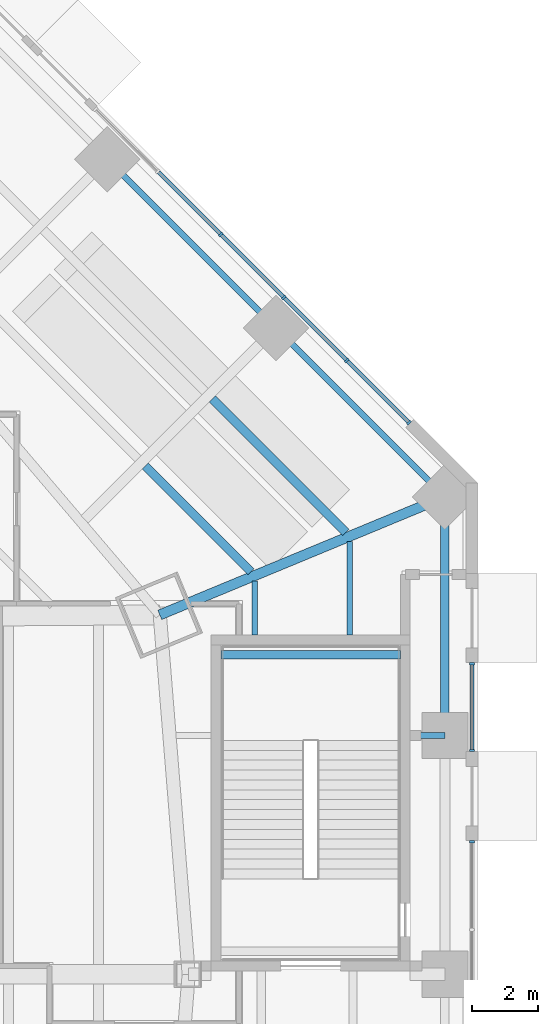
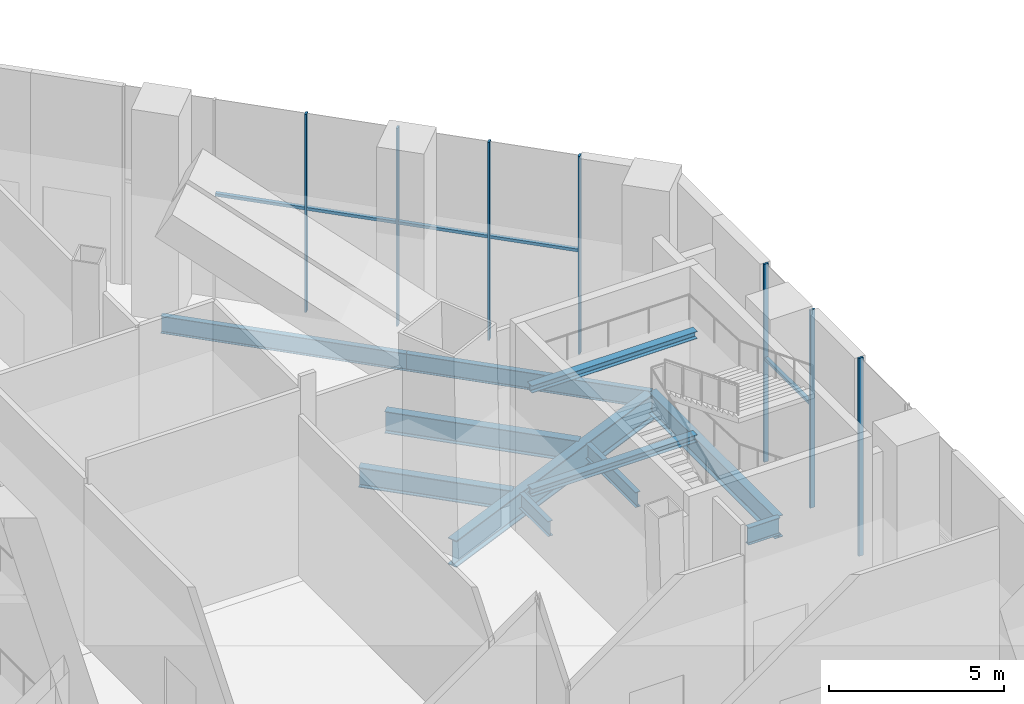
# One storey, part 13 of 35: 13 members, 10 beams, 3 elements without a shape of their own.
"""IFC4 building model written with IfcOpenShell, lengths in metres."""

from ifc_helpers import new_model, si_unit, direction, frame, origin, origin_2d, place, context, subcontext, project, spatial, rectangle, i_section, extrude, source, transform, mapped, material, material_profile, profile_set, type_object, type_shapes, element, aggregate, save


model = new_model("IFC4")

# Units and contexts
model_context = context("Model", 3, precision=1e-05, world=origin(), true_north=direction((0.0, 1.0)))
body_context = subcontext(model_context, "Body", "Model", "MODEL_VIEW")
ifc_project = project(units=[si_unit("LENGTHUNIT", "METRE"), si_unit("AREAUNIT", "SQUARE_METRE"), si_unit("VOLUMEUNIT", "CUBIC_METRE"), si_unit("PLANEANGLEUNIT", "RADIAN"), si_unit("MASSUNIT", "GRAM", prefix="KILO")], contexts=[model_context])

# Site, building, storey
site_placement = place(None, origin())
site = spatial("IfcSite", under=ifc_project, at=site_placement, CompositionType="ELEMENT")
building_placement = place(site_placement, origin())
building = spatial("IfcBuilding", under=site, at=building_placement, Name="Mashrafa Tower", CompositionType="ELEMENT")
storey_placement = place(building_placement, origin())
storey = spatial("IfcBuildingStorey", under=building, at=storey_placement, Name="L00", CompositionType="ELEMENT", Elevation=0.0)

# Beams
ifc_material_1 = material(Name="Steel ASTM A992", Category="steel")
ifc_material_profile_1 = material_profile(ifc_material_1, i_section(OverallWidth=0.1650390625, OverallDepth=0.52587890625, WebThickness=0.0087890625, FlangeThickness=0.011474609375, FilletRadius=0.0126953125, at=origin_2d()), Name="W21X44")
ifc_profile_set_1 = profile_set([ifc_material_profile_1], Name="Steel ASTM A992")
beam_type_1 = type_object("IfcBeamType", Name="Beam W21X44", PredefinedType="BEAM", material=ifc_profile_set_1)
beam_1_placement = place(storey_placement, frame((29.22998046875, 11.941162109375, -0.56298828125), z_axis=(0.0, -1.0, 0.0), x_axis=(1.0, 0.0, 0.0)))
element("IfcBeam", 1, at=beam_1_placement, inside=storey, type_object=beam_type_1, Name="Floor beam L00 100", PredefinedType="BEAM", context=body_context, shape_type="SweptSolid", body=[
    extrude(i_section(OverallWidth=0.1650390625, OverallDepth=0.52587890625, WebThickness=0.0087890625, FlangeThickness=0.011474609375, FilletRadius=0.0126953125, at=origin_2d()), origin(), (0.0, 0.0, 1.0), 1.64111328125),
])
beam_2_placement = place(storey_placement, frame((32.114990234375, 13.13623046875, -0.56298828125), z_axis=(0.0, -1.0, 0.0), x_axis=(1.0, 0.0, 0.0)))
element("IfcBeam", 2, at=beam_2_placement, inside=storey, type_object=beam_type_1, Name="Floor beam L00 104", PredefinedType="BEAM", context=body_context, shape_type="SweptSolid", body=[
    extrude(i_section(OverallWidth=0.1650390625, OverallDepth=0.52587890625, WebThickness=0.0087890625, FlangeThickness=0.011474609375, FilletRadius=0.0126953125, at=origin_2d()), origin(), (0.0, 0.0, 1.0), 2.836181640625),
])
ifc_material_2 = material(Name="Steel ASTM A992", Category="steel")
ifc_material_profile_2 = material_profile(ifc_material_2, i_section(OverallWidth=0.177978515625, OverallDepth=0.599365234375, WebThickness=0.010009765625, FlangeThickness=0.012939453125, FilletRadius=0.012939453125, at=origin_2d()), Name="W24X55")
ifc_profile_set_2 = profile_set([ifc_material_profile_2], Name="Steel ASTM A992")
beam_type_2 = type_object("IfcBeamType", Name="Beam W24X55", PredefinedType="BEAM", material=ifc_profile_set_2)
beam_3_placement = place(storey_placement, frame((29.87451171875, 19.623046875, -0.599609375), z_axis=(-0.707106781187, 0.707106781187, 0.0), x_axis=(-0.707106781187, -0.707106781187, 0.0)))
element("IfcBeam", 3, at=beam_3_placement, inside=storey, type_object=beam_type_2, Name="Podium edge beam L00 134", PredefinedType="BEAM", context=body_context, shape_type="SweptSolid", body=[
    extrude(i_section(OverallWidth=0.177978515625, OverallDepth=0.599365234375, WebThickness=0.010009765625, FlangeThickness=0.012939453125, FilletRadius=0.012939453125, at=origin_2d()), origin(), (0.0, 0.0, 1.0), 7.248779296875),
])
beam_4_placement = place(storey_placement, frame((35.0, 14.49755859375, -0.599609375), z_axis=(-0.707106781187, 0.707106781187, 0.0), x_axis=(-0.707106781187, -0.707106781187, 0.0)))
element("IfcBeam", 4, at=beam_4_placement, inside=storey, type_object=beam_type_2, Name="Podium edge beam L00 139", PredefinedType="BEAM", context=body_context, shape_type="SweptSolid", body=[
    extrude(i_section(OverallWidth=0.177978515625, OverallDepth=0.599365234375, WebThickness=0.010009765625, FlangeThickness=0.012939453125, FilletRadius=0.012939453125, at=origin_2d()), origin(), (0.0, 0.0, 1.0), 7.24853515625),
])
ifc_material_3 = material(Name="Steel ASTM A992", Category="steel")
ifc_material_profile_3 = material_profile(ifc_material_3, i_section(OverallWidth=0.256591796875, OverallDepth=0.693359375, WebThickness=0.014404296875, FlangeThickness=0.023681640625, FilletRadius=0.01513671875, at=origin_2d()), Name="W27X114")
ifc_profile_set_3 = profile_set([ifc_material_profile_3], Name="Steel ASTM A992")
beam_type_3 = type_object("IfcBeamType", Name="Beam W27X114", PredefinedType="BEAM", material=ifc_profile_set_3)
beam_5_placement = place(storey_placement, frame((25.903076171875, 15.434326171875, -0.646728515625), z_axis=(0.707106781187, -0.707106781187, 0.0), x_axis=(0.707106781187, 0.707106781187, 0.0)))
element("IfcBeam", 5, at=beam_5_placement, inside=storey, type_object=beam_type_3, Name="Floor beam L00 090 part 2", PredefinedType="BEAM", context=body_context, shape_type="SweptSolid", body=[
    extrude(i_section(OverallWidth=0.256591796875, OverallDepth=0.693359375, WebThickness=0.014404296875, FlangeThickness=0.023681640625, FilletRadius=0.01513671875, at=origin_2d()), origin(), (0.0, 0.0, 1.0), 4.53857421875),
])
ifc_material_4 = material(Name="Steel ASTM A992", Category="steel")
ifc_material_profile_4 = material_profile(ifc_material_4, i_section(OverallWidth=0.2666015625, OverallDepth=0.75439453125, WebThickness=0.01318359375, FlangeThickness=0.01708984375, FilletRadius=0.0166015625, at=origin_2d()), Name="W30X99")
ifc_profile_set_4 = profile_set([ifc_material_profile_4], Name="Steel ASTM A992")
beam_type_4 = type_object("IfcBeamType", Name="Beam W30X99", PredefinedType="BEAM", material=ifc_profile_set_4)
beam_6_placement = place(storey_placement, frame((27.943115234375, 17.474365234375, -0.67724609375), z_axis=(0.707106781187, -0.707106781187, 0.0), x_axis=(0.707106781187, 0.707106781187, 0.0)))
element("IfcBeam", 6, at=beam_6_placement, inside=storey, type_object=beam_type_4, Name="Floor beam L00 093 part 2", PredefinedType="BEAM", context=body_context, shape_type="SweptSolid", body=[
    extrude(i_section(OverallWidth=0.2666015625, OverallDepth=0.75439453125, WebThickness=0.01318359375, FlangeThickness=0.01708984375, FilletRadius=0.0166015625, at=origin_2d()), origin(), (0.0, 0.0, 1.0), 5.7333984375),
])
beam_7_placement = place(storey_placement, frame((35.0, 7.248779296875, -0.67724609375), z_axis=(0.0, 1.0, 0.0), x_axis=(-1.0, 0.0, 0.0)))
element("IfcBeam", 7, at=beam_7_placement, inside=storey, type_object=beam_type_4, Name="Podium edge beam L00 138", PredefinedType="BEAM", context=body_context, shape_type="SweptSolid", body=[
    extrude(i_section(OverallWidth=0.2666015625, OverallDepth=0.75439453125, WebThickness=0.01318359375, FlangeThickness=0.01708984375, FilletRadius=0.0166015625, at=origin_2d()), origin(), (0.0, 0.0, 1.0), 7.248779296875),
])
ifc_material_5 = material(Name="Steel ASTM A992", Category="steel")
ifc_material_profile_5 = material_profile(ifc_material_5, i_section(OverallWidth=0.307373046875, OverallDepth=0.927001953125, WebThickness=0.01953125, FlangeThickness=0.031982421875, FilletRadius=0.01904296875, at=origin_2d()), Name="W36X194")
ifc_profile_set_5 = profile_set([ifc_material_profile_5], Name="Steel ASTM A992")
beam_type_5 = type_object("IfcBeamType", Name="Beam W36X194", PredefinedType="BEAM", material=ifc_profile_set_5)
beam_8_placement = place(storey_placement, frame((26.344970703125, 10.91259765625, -0.763671875), z_axis=(0.923882158446, 0.382677092737, 0.0), x_axis=(-0.382677092737, 0.923882158446, 0.0)))
element("IfcBeam", 8, at=beam_8_placement, inside=storey, type_object=beam_type_5, Name="Podium radial beam L00 175", PredefinedType="BEAM", context=body_context, shape_type="SweptSolid", body=[
    extrude(i_section(OverallWidth=0.307373046875, OverallDepth=0.927001953125, WebThickness=0.01953125, FlangeThickness=0.031982421875, FilletRadius=0.01904296875, at=origin_2d()), origin(), (0.0, 0.0, 1.0), 9.3681640625),
])
ifc_material_6 = material(Name="Steel ASTM A992", Category="steel")
ifc_material_profile_6 = material_profile(ifc_material_6, i_section(OverallWidth=0.25390625, OverallDepth=0.25390625, WebThickness=0.008544921875, FlangeThickness=0.01416015625, FilletRadius=0.010009765625, at=origin_2d()), Name="W10X49")
ifc_profile_set_6 = profile_set([ifc_material_profile_6], Name="Steel ASTM A992")
beam_type_6 = type_object("IfcBeamType", Name="Hoistway beam W10X49", PredefinedType="BEAM", material=ifc_profile_set_6)
for number, where, z_axis, x_axis, name in (
    (9, (28.199951171875, 9.699951171875, 1.472900390625), (1.0, 0.0, 0.0), (0.0, 1.0, 0.0), "Stair P1 landing beam L00"),
    (10, (28.199951171875, 9.699951171875, 5.072998046875), (1.0, 0.0, 0.0), (0.0, 1.0, 0.0), "Stair P1 landing beam L00"),
):
    element("IfcBeam", number, at=place(storey_placement, frame(where, z_axis=z_axis, x_axis=x_axis)), inside=storey, type_object=beam_type_6, Name=name, PredefinedType="BEAM", context=body_context, shape_type="SweptSolid", body=[
        extrude(i_section(OverallWidth=0.25390625, OverallDepth=0.25390625, WebThickness=0.008544921875, FlangeThickness=0.01416015625, FilletRadius=0.010009765625, at=origin_2d()), origin(), (0.0, 0.0, 1.0), 5.449951171875),
    ])

# Member
ifc_material_7 = material(Name="Steel ASTM A992", Category="steel")
ifc_material_profile_7 = material_profile(ifc_material_7, i_section(OverallWidth=0.177978515625, OverallDepth=0.599365234375, WebThickness=0.010009765625, FlangeThickness=0.012939453125, FilletRadius=0.012939453125, at=origin_2d()), Name="W24X55")
ifc_profile_set_7 = profile_set([ifc_material_profile_7], Name="Steel ASTM A992")
member_type_1 = type_object("IfcMemberType", Name="Tie strut W24X55", PredefinedType="STRUT", material=ifc_profile_set_7)
shared_shape_1 = source(origin(), body_context, "Body", "SweptSolid", [
    extrude(i_section(OverallWidth=0.177978515625, OverallDepth=0.599365234375, WebThickness=0.010009765625, FlangeThickness=0.012939453125, FilletRadius=0.012939453125, at=origin_2d()), origin(), (0.0, 0.0, 1.0), 1.050048828125),
])
type_shapes(member_type_1, [shared_shape_1])
member_1_placement = place(storey_placement, frame((33.949951171875, 7.248779296875, -0.599609375), z_axis=(1.0, 0.0, 0.0), x_axis=(0.0, 1.0, 0.0)))
element("IfcMember", 11, at=member_1_placement, inside=storey, type_object=member_type_1, Name="Tie strut L00 180", PredefinedType="STRUT", context=body_context, shape_type="MappedRepresentation", body=[
    mapped(shared_shape_1, transform((0.0, 0.0, 0.0))),
])

# Curtain wall, member
ifc_material_8 = material(Name="Unitised aluminium curtain wall", Category="aluminium")
curtain_wall_type = type_object("IfcCurtainWallType", Name="Podium storefront CW-P 150 deep", PredefinedType="NOTDEFINED", material=ifc_material_8)
curtain_wall_1_placement = place(storey_placement, origin())
curtain_wall_1 = element("IfcCurtainWall", 12, at=curtain_wall_1_placement, inside=storey, type_object=curtain_wall_type, Name="Podium storefront L00 east part 2", PredefinedType="NOTDEFINED")
ifc_material_9 = material(Name="Extruded aluminium mullion", Category="aluminium")
ifc_material_profile_8 = material_profile(ifc_material_9, rectangle(XDim=0.14990234375, YDim=0.06494140625, at=origin_2d()), Name="Mullion 65x150")
ifc_profile_set_8 = profile_set([ifc_material_profile_8], Name="Extruded aluminium mullion")
member_type_2 = type_object("IfcMemberType", Name="Mullion CW-P 65 x 150", PredefinedType="MULLION", material=ifc_profile_set_8)
shared_shape_2 = source(origin(), body_context, "Body", "SweptSolid", [
    extrude(rectangle(XDim=0.14990234375, YDim=0.06494140625, at=origin_2d()), origin(), (0.0, 0.0, 1.0), 6.89990234375),
])
type_shapes(member_type_2, [shared_shape_2])
member_2_placement = place(storey_placement, frame((35.824951171875, 4.02294921875, 0.0), z_axis=(0.0, 0.0, 1.0), x_axis=(-1.0, 0.0, 0.0)))
member_2 = element("IfcMember", 13, at=member_2_placement, type_object=member_type_2, Name="CW-P mullion 3", PredefinedType="MULLION", context=body_context, shape_type="MappedRepresentation", body=[
    mapped(shared_shape_2, transform((0.0, 0.0, 0.0))),
])
aggregate(curtain_wall_1, [member_2])

# Curtain wall, members
curtain_wall_2_placement = place(storey_placement, origin())
curtain_wall_2 = element("IfcCurtainWall", 14, at=curtain_wall_2_placement, inside=storey, type_object=curtain_wall_type, Name="Podium storefront L00 east part 3", PredefinedType="NOTDEFINED")
member_3_placement = place(storey_placement, frame((35.824951171875, 6.791748046875, 0.0), z_axis=(0.0, 0.0, 1.0), x_axis=(-1.0, 0.0, 0.0)))
member_3 = element("IfcMember", 15, at=member_3_placement, type_object=member_type_2, Name="CW-P mullion 1", PredefinedType="MULLION", context=body_context, shape_type="MappedRepresentation", body=[
    mapped(shared_shape_2, transform((0.0, 0.0, 0.0))),
])
member_4_placement = place(storey_placement, frame((35.824951171875, 9.430419921875, 0.0), z_axis=(0.0, 0.0, 1.0), x_axis=(-1.0, 0.0, 0.0)))
member_4 = element("IfcMember", 16, at=member_4_placement, type_object=member_type_2, Name="CW-P mullion 2", PredefinedType="MULLION", context=body_context, shape_type="MappedRepresentation", body=[
    mapped(shared_shape_2, transform((0.0, 0.0, 0.0))),
])

curtain_wall_3_placement = place(storey_placement, origin())
curtain_wall_3 = element("IfcCurtainWall", 17, at=curtain_wall_3_placement, inside=storey, type_object=curtain_wall_type, Name="Podium storefront L00 north-east part 1", PredefinedType="NOTDEFINED")
member_5_placement = place(storey_placement, frame((33.912109375, 16.751953125, 0.0), z_axis=(0.0, 0.0, 1.0), x_axis=(-0.707106781187, -0.707106781187, 0.0)))
member_5 = element("IfcMember", 18, at=member_5_placement, type_object=member_type_2, Name="CW-P mullion 1", PredefinedType="MULLION", context=body_context, shape_type="MappedRepresentation", body=[
    mapped(shared_shape_2, transform((0.0, 0.0, 0.0))),
])
member_6_placement = place(storey_placement, frame((32.0234375, 18.640869140625, 0.0), z_axis=(0.0, 0.0, 1.0), x_axis=(-0.707106781187, -0.707106781187, 0.0)))
member_6 = element("IfcMember", 19, at=member_6_placement, type_object=member_type_2, Name="CW-P mullion 2", PredefinedType="MULLION", context=body_context, shape_type="MappedRepresentation", body=[
    mapped(shared_shape_2, transform((0.0, 0.0, 0.0))),
])
member_7_placement = place(storey_placement, frame((30.111572265625, 20.552734375, 0.0), z_axis=(0.0, 0.0, 1.0), x_axis=(-0.707106781187, -0.707106781187, 0.0)))
member_7 = element("IfcMember", 20, at=member_7_placement, type_object=member_type_2, Name="CW-P mullion 3", PredefinedType="MULLION", context=body_context, shape_type="MappedRepresentation", body=[
    mapped(shared_shape_2, transform((0.0, 0.0, 0.0))),
])
member_8_placement = place(storey_placement, frame((28.19970703125, 22.46435546875, 0.0), z_axis=(0.0, 0.0, 1.0), x_axis=(-0.707106781187, -0.707106781187, 0.0)))
member_8 = element("IfcMember", 21, at=member_8_placement, type_object=member_type_2, Name="CW-P mullion 4", PredefinedType="MULLION", context=body_context, shape_type="MappedRepresentation", body=[
    mapped(shared_shape_2, transform((0.0, 0.0, 0.0))),
])
ifc_material_10 = material(Name="Extruded aluminium transom", Category="aluminium")
ifc_material_profile_9 = material_profile(ifc_material_10, rectangle(XDim=0.1201171875, YDim=0.10009765625, at=origin_2d()), Name="Transom 100x120")
ifc_profile_set_9 = profile_set([ifc_material_profile_9], Name="Extruded aluminium transom")
member_type_3 = type_object("IfcMemberType", Name="Transom CW-P 100 x 120", PredefinedType="MULLION", material=ifc_profile_set_9)
shared_shape_3 = source(origin(), body_context, "Body", "SweptSolid", [
    extrude(rectangle(XDim=0.1201171875, YDim=0.10009765625, at=origin_2d()), origin(), (0.0, 0.0, 1.0), 2.606201171875),
])
member_9_placement = place(storey_placement, frame((33.88916015625, 16.77490234375, 3.60009765625), z_axis=(-0.707059942066, 0.707153617204, 0.0), x_axis=(-0.707153617204, -0.707059942066, 0.0)))
member_9 = element("IfcMember", 22, at=member_9_placement, type_object=member_type_3, Name="CW-P transom 1", PredefinedType="MULLION", context=body_context, shape_type="MappedRepresentation", body=[
    mapped(shared_shape_3, transform((0.0, 0.0, 0.0))),
])

# Member
shared_shape_4 = source(origin(), body_context, "Body", "SweptSolid", [
    extrude(rectangle(XDim=0.1201171875, YDim=0.10009765625, at=origin_2d()), origin(), (0.0, 0.0, 1.0), 2.57373046875),
])
member_10_placement = place(storey_placement, frame((35.824951171875, 6.82421875, 3.60009765625), z_axis=(0.0, 1.0, 0.0), x_axis=(-1.0, 0.0, 0.0)))
member_10 = element("IfcMember", 23, at=member_10_placement, type_object=member_type_3, Name="CW-P transom 1", PredefinedType="MULLION", context=body_context, shape_type="MappedRepresentation", body=[
    mapped(shared_shape_4, transform((0.0, 0.0, 0.0))),
])

aggregate(curtain_wall_2, [member_3, member_4, member_10])

shared_shape_5 = source(origin(), body_context, "Body", "SweptSolid", [
    extrude(rectangle(XDim=0.1201171875, YDim=0.10009765625, at=origin_2d()), origin(), (0.0, 0.0, 1.0), 2.638671875),
])
type_shapes(member_type_3, [shared_shape_3, shared_shape_4, shared_shape_5])
member_11_placement = place(storey_placement, frame((32.00048828125, 18.663818359375, 3.60009765625), z_axis=(-0.707153041157, 0.707060518189, 0.0), x_axis=(-0.707060518189, -0.707153041157, 0.0)))
member_11 = element("IfcMember", 24, at=member_11_placement, type_object=member_type_3, Name="CW-P transom 2", PredefinedType="MULLION", context=body_context, shape_type="MappedRepresentation", body=[
    mapped(shared_shape_5, transform((0.0, 0.0, 0.0))),
])

member_12_placement = place(storey_placement, frame((30.088623046875, 20.57568359375, 3.60009765625), z_axis=(-0.707153041157, 0.707060518189, 0.0), x_axis=(-0.707060518189, -0.707153041157, 0.0)))
member_12 = element("IfcMember", 25, at=member_12_placement, type_object=member_type_3, Name="CW-P transom 3", PredefinedType="MULLION", context=body_context, shape_type="MappedRepresentation", body=[
    mapped(shared_shape_5, transform((0.0, 0.0, 0.0))),
])

member_13_placement = place(storey_placement, frame((28.1767578125, 22.4873046875, 3.60009765625), z_axis=(-0.707060518189, 0.707153041157, 0.0), x_axis=(-0.707153041157, -0.707060518189, 0.0)))
member_13 = element("IfcMember", 26, at=member_13_placement, type_object=member_type_3, Name="CW-P transom 4", PredefinedType="MULLION", context=body_context, shape_type="MappedRepresentation", body=[
    mapped(shared_shape_5, transform((0.0, 0.0, 0.0))),
])

aggregate(curtain_wall_3, [member_5, member_6, member_7, member_8, member_9, member_11, member_12, member_13])

save(model, "model.ifc")
